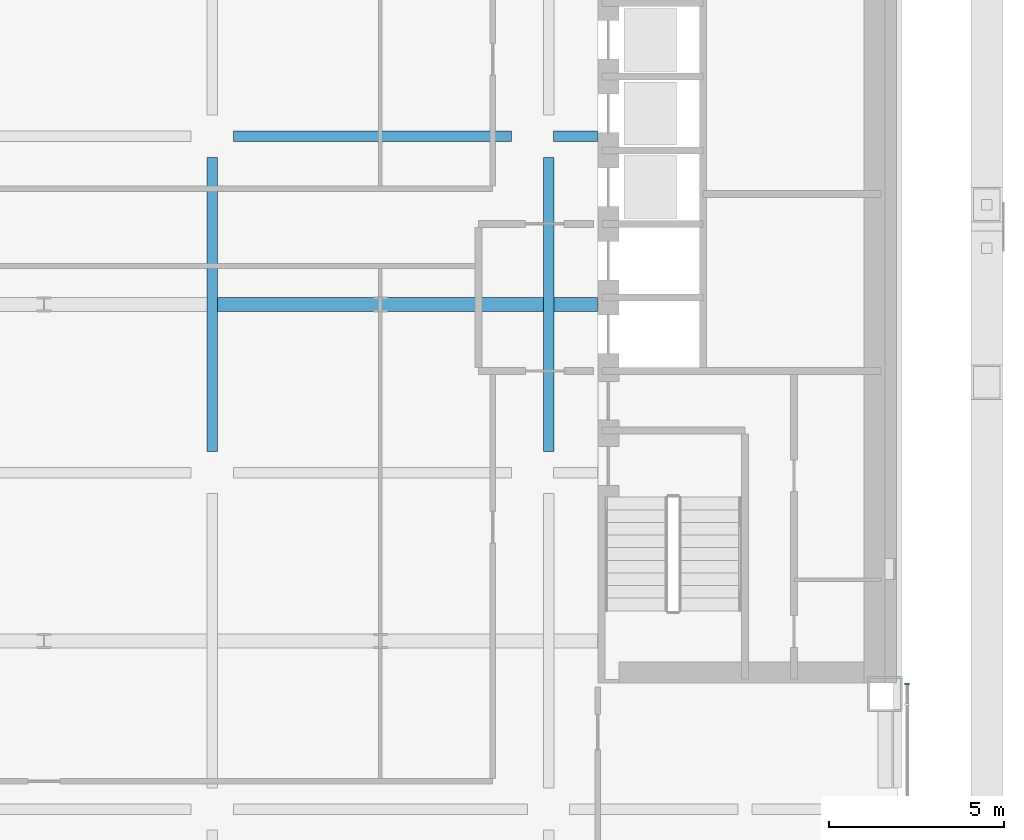
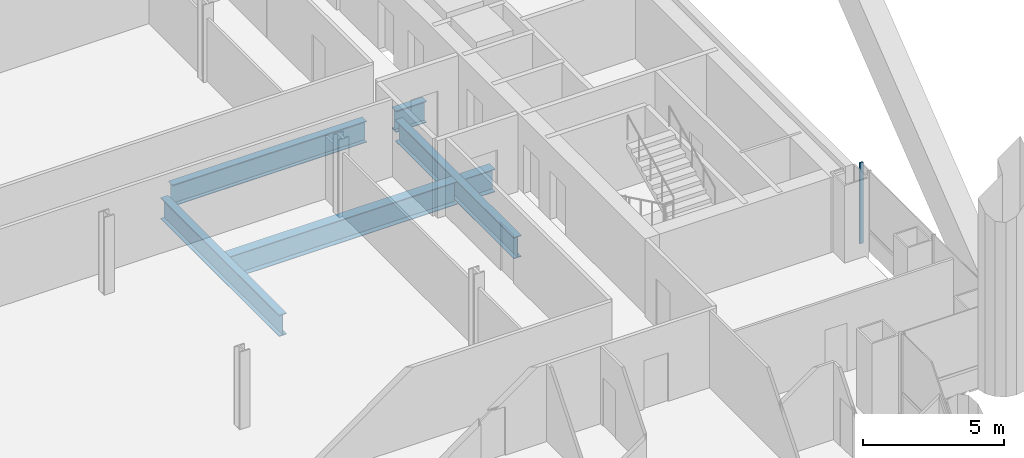
# One storey, part 7 of 28: 6 beams, 1 member, 1 element without a shape of its own.
"""IFC4 building model written with IfcOpenShell, lengths in metres."""

from ifc_helpers import new_model, si_unit, direction, frame, origin, origin_2d, place, context, subcontext, project, spatial, rectangle, i_section, extrude, material, material_profile, profile_set, type_object, element, aggregate, save


model = new_model("IFC4")

# Units and contexts
model_context = context("Model", 3, precision=1e-05, world=origin(), true_north=direction((0.0, 1.0)))
body_context = subcontext(model_context, "Body", "Model", "MODEL_VIEW")
ifc_project = project(units=[si_unit("LENGTHUNIT", "METRE"), si_unit("AREAUNIT", "SQUARE_METRE"), si_unit("VOLUMEUNIT", "CUBIC_METRE"), si_unit("PLANEANGLEUNIT", "RADIAN"), si_unit("MASSUNIT", "GRAM", prefix="KILO")], contexts=[model_context])

# Site, building, storey
site_placement = place(None, origin())
site = spatial("IfcSite", under=ifc_project, at=site_placement, CompositionType="ELEMENT")
building_placement = place(site_placement, origin())
building = spatial("IfcBuilding", under=site, at=building_placement, Name="Cobrizo Arcos Hotel Tower", CompositionType="ELEMENT")
storey_placement = place(building_placement, frame((0.0, 0.0, 39.0)))
storey = spatial("IfcBuildingStorey", under=building, at=storey_placement, Name="L07", CompositionType="ELEMENT", Elevation=39.0)

# Curtain wall, member
ifc_material_1 = material(Name="Aluminium 6063-T6 anodised bronze", Category="aluminium")
curtain_wall_type = type_object("IfcCurtainWallType", Name="CW-A guest facade", PredefinedType="NOTDEFINED", material=ifc_material_1)
curtain_wall_placement = place(storey_placement, origin())
curtain_wall = element("IfcCurtainWall", 1, at=curtain_wall_placement, inside=storey, type_object=curtain_wall_type, Name="CW-A L07 E face", PredefinedType="NOTDEFINED")
ifc_material_profile_1 = material_profile(ifc_material_1, rectangle(XDim=0.14990234375, YDim=0.06005859375, at=origin_2d()), Name="CW-A mullion 150x60")
ifc_profile_set_1 = profile_set([ifc_material_profile_1], Name="Aluminium 6063-T6 anodised bronze")
member_type = type_object("IfcMemberType", Name="CW-A mullion 150x60", PredefinedType="MULLION", material=ifc_profile_set_1)
member_placement = place(storey_placement, frame((24.625, -10.830078125, 0.0), z_axis=(0.0, 0.0, 1.0), x_axis=(1.0, 0.0, 0.0)))
member = element("IfcMember", 2, at=member_placement, type_object=member_type, Name="CW-A mullion 4", PredefinedType="MULLION", context=body_context, shape_type="SweptSolid", body=[
    extrude(rectangle(XDim=0.14990234375, YDim=0.06005859375, at=origin_2d()), origin(), (0.0, 0.0, 1.0), 3.5),
])
aggregate(curtain_wall, [member])

# Beams
ifc_material_2 = material(Name="Steel ASTM A992 Grade 50", Category="steel")
ifc_material_profile_2 = material_profile(ifc_material_2, i_section(OverallWidth=0.307373046875, OverallDepth=0.927001953125, WebThickness=0.01953125, FlangeThickness=0.031982421875, at=origin_2d()), Name="W36X194")
ifc_profile_set_2 = profile_set([ifc_material_profile_2], Name="Steel ASTM A992 Grade 50")
beam_type_1 = type_object("IfcBeamType", Name="W36X194 podium girder", PredefinedType="BEAM", material=ifc_profile_set_2)
beam_1_placement = place(storey_placement, frame((5.39990234375, 4.800048828125, -0.613525390625), z_axis=(1.0, 0.0, 0.0), x_axis=(0.0, 1.0, 0.0)))
element("IfcBeam", 3, at=beam_1_placement, inside=storey, type_object=beam_type_1, Name="Podium girder PG1, L07, no. 014", PredefinedType="BEAM", context=body_context, shape_type="SweptSolid", body=[
    extrude(i_section(OverallWidth=0.307373046875, OverallDepth=0.927001953125, WebThickness=0.01953125, FlangeThickness=0.031982421875, at=origin_2d()), origin(), (0.0, 0.0, 1.0), 7.940185546875),
])
beam_2_placement = place(storey_placement, frame((14.5400390625, 4.800048828125, -0.613525390625), z_axis=(1.0, 0.0, 0.0), x_axis=(0.0, 1.0, 0.0)))
element("IfcBeam", 4, at=beam_2_placement, inside=storey, type_object=beam_type_1, Name="Podium girder PG1, L07, no. 015", PredefinedType="BEAM", context=body_context, shape_type="SweptSolid", body=[
    extrude(i_section(OverallWidth=0.307373046875, OverallDepth=0.927001953125, WebThickness=0.01953125, FlangeThickness=0.031982421875, at=origin_2d()), origin(), (0.0, 0.0, 1.0), 1.25),
])
for number, where, z_axis, x_axis, name in (
    (5, (4.800048828125, -4.199951171875, -0.613525390625), (0.0, 1.0, 0.0), (-1.0, 0.0, 0.0), "Podium girder PG1, L07, no. 035"),
    (6, (14.39990234375, -4.199951171875, -0.613525390625), (0.0, 1.0, 0.0), (-1.0, 0.0, 0.0), "Podium girder PG1, L07, no. 040"),
):
    element("IfcBeam", number, at=place(storey_placement, frame(where, z_axis=z_axis, x_axis=x_axis)), inside=storey, type_object=beam_type_1, Name=name, PredefinedType="BEAM", context=body_context, shape_type="SweptSolid", body=[
        extrude(i_section(OverallWidth=0.307373046875, OverallDepth=0.927001953125, WebThickness=0.01953125, FlangeThickness=0.031982421875, at=origin_2d()), origin(), (0.0, 0.0, 1.0), 8.39990234375),
    ])
ifc_material_profile_3 = material_profile(ifc_material_2, i_section(OverallWidth=0.4013671875, OverallDepth=0.990478515625, WebThickness=0.0166015625, FlangeThickness=0.025390625, at=origin_2d()), Name="W40X215")
ifc_profile_set_3 = profile_set([ifc_material_profile_3], Name="Steel ASTM A992 Grade 50")
beam_type_2 = type_object("IfcBeamType", Name="W40X215 transfer girder", PredefinedType="BEAM", material=ifc_profile_set_3)
beam_3_placement = place(storey_placement, frame((4.95361328125, 0.0, -0.645263671875), z_axis=(1.0, 0.0, 0.0), x_axis=(0.0, 1.0, 0.0)))
element("IfcBeam", 7, at=beam_3_placement, inside=storey, type_object=beam_type_2, Name="Transfer girder TG1, L07, no. 009", PredefinedType="BEAM", context=body_context, shape_type="SweptSolid", body=[
    extrude(i_section(OverallWidth=0.4013671875, OverallDepth=0.990478515625, WebThickness=0.0166015625, FlangeThickness=0.025390625, at=origin_2d()), origin(), (0.0, 0.0, 1.0), 9.292724609375),
])
beam_4_placement = place(storey_placement, frame((14.5537109375, 0.0, -0.645263671875), z_axis=(1.0, 0.0, 0.0), x_axis=(0.0, 1.0, 0.0)))
element("IfcBeam", 8, at=beam_4_placement, inside=storey, type_object=beam_type_2, Name="Transfer girder TG1, L07, no. 010", PredefinedType="BEAM", context=body_context, shape_type="SweptSolid", body=[
    extrude(i_section(OverallWidth=0.4013671875, OverallDepth=0.990478515625, WebThickness=0.0166015625, FlangeThickness=0.025390625, at=origin_2d()), origin(), (0.0, 0.0, 1.0), 1.236328125),
])

save(model, "model.ifc")
